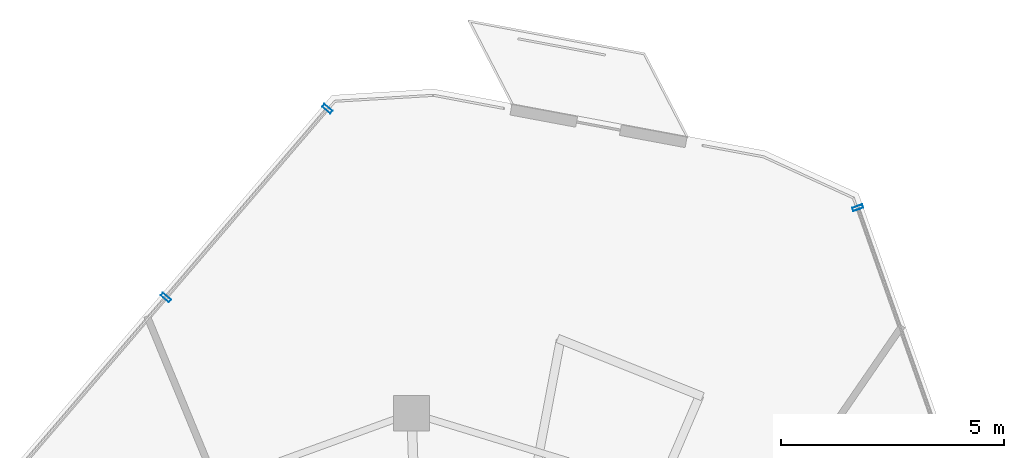
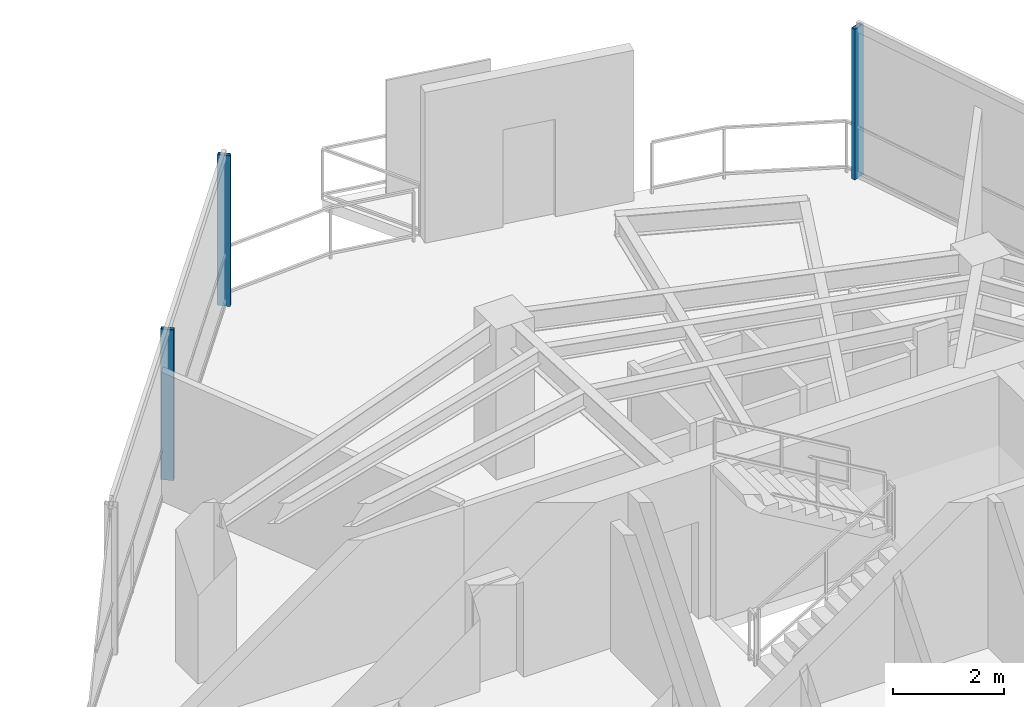
# One storey, part 13 of 18: 3 members, 2 elements without a shape of their own.
"""IFC4 building model written with IfcOpenShell, lengths in metres."""

from ifc_helpers import new_model, si_unit, direction, frame, origin, origin_2d, place, context, subcontext, project, spatial, hollow_rectangle, extrude, material, layer, layer_set, material_profile, profile_set, type_object, element, aggregate, save


model = new_model("IFC4")

# Units and contexts
model_context = context("Model", 3, precision=1e-05, world=origin(), true_north=direction((0.0, 1.0)))
body_context = subcontext(model_context, "Body", "Model", "MODEL_VIEW")
ifc_project = project(units=[si_unit("LENGTHUNIT", "METRE"), si_unit("AREAUNIT", "SQUARE_METRE"), si_unit("VOLUMEUNIT", "CUBIC_METRE"), si_unit("PLANEANGLEUNIT", "RADIAN"), si_unit("MASSUNIT", "GRAM", prefix="KILO")], contexts=[model_context])

# Site, building, storey
site_placement = place(None, origin())
site = spatial("IfcSite", under=ifc_project, at=site_placement, CompositionType="ELEMENT")
building_placement = place(site_placement, origin())
building = spatial("IfcBuilding", under=site, at=building_placement, Name="Qarnah Convention Tower", CompositionType="ELEMENT")
storey_placement = place(building_placement, frame((0.0, 0.0, 253.5)))
storey = spatial("IfcBuildingStorey", under=building, at=storey_placement, Name="L68", CompositionType="ELEMENT", Elevation=253.5)

# Curtain wall, members
ifc_material_1 = material(Name="Tempered Low-E dark glass", Category="glass")
ifc_layer = layer(ifc_material_1, 0.176025390625)
ifc_layer_set = layer_set([ifc_layer], Name="Tempered Low-E dark glass")
curtain_wall_type = type_object("IfcCurtainWallType", Name="CWS-05", PredefinedType="NOTDEFINED", material=ifc_layer_set)
curtain_wall_1_placement = place(storey_placement, origin())
curtain_wall_1 = element("IfcCurtainWall", 1, at=curtain_wall_1_placement, inside=storey, type_object=curtain_wall_type, Name="L68 unitised curtain wall CW-L68-F1", PredefinedType="NOTDEFINED")
ifc_material_2 = material(Name="Black anodised aluminium", Category="aluminium")
ifc_material_profile = material_profile(ifc_material_2, hollow_rectangle(XDim=0.080078125, YDim=0.239990234375, WallThickness=0.0048828125, at=origin_2d()), Name="MUL-80X240")
ifc_profile_set = profile_set([ifc_material_profile], Name="Black anodised aluminium")
member_type = type_object("IfcMemberType", Name="MUL-T5", PredefinedType="MULLION", material=ifc_profile_set)
member_1_placement = place(storey_placement, frame((31.209228515625, 42.53955078125, 0.0), z_axis=(0.0, 0.0, 1.0), x_axis=(0.650247859177, 0.759722134491, 0.0)))
member_1 = element("IfcMember", 2, at=member_1_placement, type_object=member_type, Name="CW-L68-F1 mullion 5", PredefinedType="MULLION", context=body_context, shape_type="SweptSolid", body=[
    extrude(hollow_rectangle(XDim=0.080078125, YDim=0.239990234375, WallThickness=0.0048828125, at=origin_2d()), origin(), (0.0, 0.0, 1.0), 3.320068359375),
])
member_2_placement = place(storey_placement, frame((34.8359375, 46.777099609375, 0.0), z_axis=(0.0, 0.0, 1.0), x_axis=(0.650247859177, 0.759722134491, 0.0)))
member_2 = element("IfcMember", 3, at=member_2_placement, type_object=member_type, Name="CW-L68-F1 mullion 6", PredefinedType="MULLION", context=body_context, shape_type="SweptSolid", body=[
    extrude(hollow_rectangle(XDim=0.080078125, YDim=0.239990234375, WallThickness=0.0048828125, at=origin_2d()), origin(), (0.0, 0.0, 1.0), 3.320068359375),
])
aggregate(curtain_wall_1, [member_1, member_2])

# Curtain wall, member
curtain_wall_2_placement = place(storey_placement, origin())
curtain_wall_2 = element("IfcCurtainWall", 4, at=curtain_wall_2_placement, inside=storey, type_object=curtain_wall_type, Name="L68 unitised curtain wall CW-L68-F3", PredefinedType="NOTDEFINED")
member_3_placement = place(storey_placement, frame((46.748046875, 44.555908203125, 0.0), z_axis=(0.0, 0.0, 1.0), x_axis=(0.332810739324, -0.942993643558, 0.0)))
member_3 = element("IfcMember", 5, at=member_3_placement, type_object=member_type, Name="CW-L68-F3 mullion 1", PredefinedType="MULLION", context=body_context, shape_type="SweptSolid", body=[
    extrude(hollow_rectangle(XDim=0.080078125, YDim=0.239990234375, WallThickness=0.0048828125, at=origin_2d()), origin(), (0.0, 0.0, 1.0), 3.320068359375),
])
aggregate(curtain_wall_2, [member_3])

save(model, "model.ifc")
